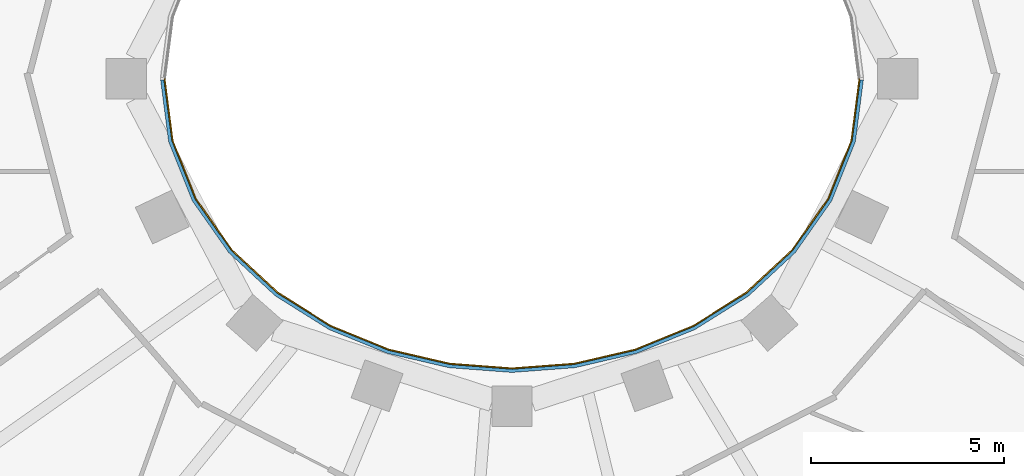
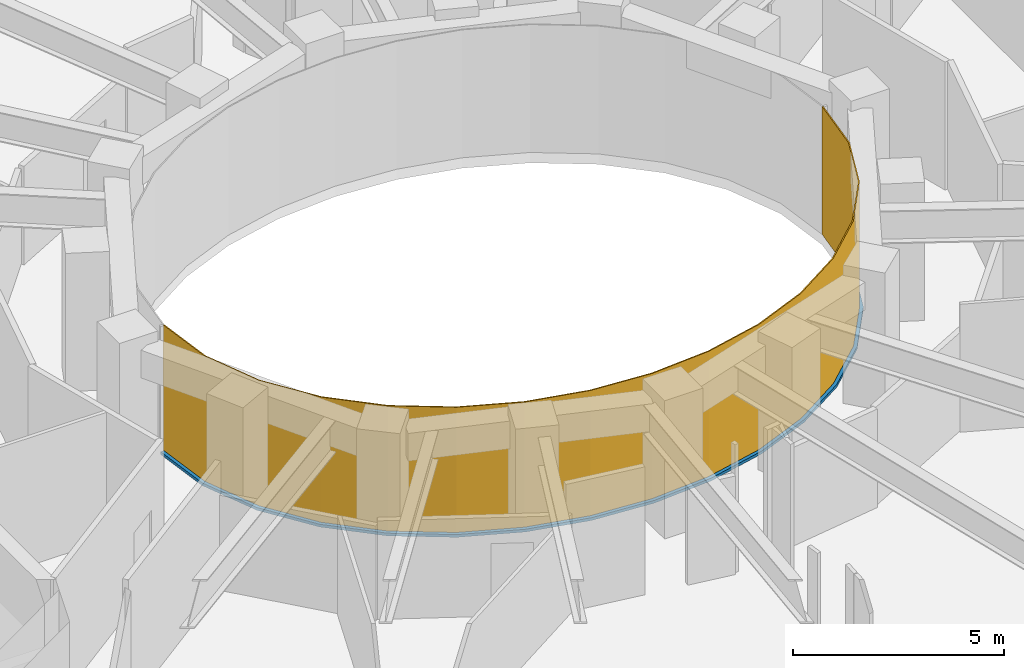
# One storey, part 11 of 17: 1 curtain wall, 1 member.
"""IFC4 building model written with IfcOpenShell, lengths in metres."""

from ifc_helpers import new_model, si_unit, direction, frame, origin, place, context, subcontext, project, spatial, polyline, outline, extrude, material, layer, layer_set, type_object, element, aggregate, save


model = new_model("IFC4")

# Units and contexts
model_context = context("Model", 3, precision=1e-05, world=origin(), true_north=direction((0.0, 1.0)))
body_context = subcontext(model_context, "Body", "Model", "MODEL_VIEW")
ifc_project = project(units=[si_unit("LENGTHUNIT", "METRE"), si_unit("AREAUNIT", "SQUARE_METRE"), si_unit("VOLUMEUNIT", "CUBIC_METRE"), si_unit("PLANEANGLEUNIT", "RADIAN"), si_unit("MASSUNIT", "GRAM", prefix="KILO")], contexts=[model_context])

# Member
ifc_material_1 = material(Name="Steel S355 fire-resisting frame", Category="steel")
member_type = type_object("IfcMemberType", Name="ENV-TRANSOM-W", PredefinedType="USERDEFINED", material=ifc_material_1)
site_placement = place(None, origin())
building_placement = place(site_placement, origin())
storey_placement = place(building_placement, frame((0.0, 0.0, 190.0)))
member_placement = place(storey_placement, origin())
member = element("IfcMember", 1, at=member_placement, type_object=member_type, Name="Transom W well 17-01", ObjectType="TRANSOM", PredefinedType="USERDEFINED", context=body_context, shape_type="SweptSolid", body=[
    extrude(outline(polyline([(-9.119384765625, -0.02783203125), (-8.910400390625, -1.63623046875), (-8.29833984375, -3.167236328125), (-7.35107421875, -4.5146484375), (-6.1455078125, -5.6337890625), (-4.75341796875, -6.50634765625), (-3.233642578125, -7.127685546875), (-1.635498046875, -7.498779296875), (0.0, -7.622314453125), (1.635498046875, -7.498779296875), (3.233642578125, -7.127685546875), (4.75341796875, -6.50634765625), (6.1455078125, -5.6337890625), (7.35107421875, -4.5146484375), (8.29833984375, -3.167236328125), (8.910400390625, -1.63623046875), (9.119384765625, -0.02783203125), (9.02880859375, -0.02783203125), (8.822509765625, -1.61328125), (8.21875, -3.124267578125), (7.282958984375, -4.455078125), (6.090576171875, -5.56201171875), (4.712158203125, -6.426025390625), (3.206298828125, -7.04150390625), (1.621826171875, -7.40966796875), (0.0, -7.531982421875), (-1.621826171875, -7.40966796875), (-3.206298828125, -7.04150390625), (-4.712158203125, -6.426025390625), (-6.090576171875, -5.56201171875), (-7.282958984375, -4.455078125), (-8.21875, -3.124267578125), (-8.822509765625, -1.61328125), (-9.02880859375, -0.02783203125), (-9.119384765625, -0.02783203125)])), origin(), (0.0, 0.0, 1.0), 0.080078125),
])

# Site, building, storey
site = spatial("IfcSite", under=ifc_project, at=site_placement, CompositionType="ELEMENT")
building = spatial("IfcBuilding", under=site, at=building_placement, Name="Noorbagh Ring Tower", CompositionType="ELEMENT")
storey = spatial("IfcBuildingStorey", under=building, at=storey_placement, Name="L44", CompositionType="ELEMENT", Elevation=190.0)

# Curtain wall
ifc_material_2 = material(Name="Glass fire-resisting E60 laminated", Category="glass")
ifc_layer = layer(ifc_material_2, 0.031982421875)
ifc_layer_set = layer_set([ifc_layer], Name="Glass fire-resisting E60 laminated")
curtain_wall_type = type_object("IfcCurtainWallType", Name="ENV-CW-W", PredefinedType="NOTDEFINED", material=ifc_layer_set)
curtain_wall_placement = place(storey_placement, origin())
curtain_wall = element("IfcCurtainWall", 2, at=curtain_wall_placement, inside=storey, type_object=curtain_wall_type, Name="Curtain wall W W17", PredefinedType="NOTDEFINED", context=body_context, shape_type="SweptSolid", body=[
    extrude(outline(polyline([(-9.0322265625, 0.0), (-8.822509765625, -1.61328125), (-8.21875, -3.124267578125), (-7.282958984375, -4.455078125), (-6.090576171875, -5.56201171875), (-4.712158203125, -6.426025390625), (-3.206298828125, -7.04150390625), (-1.621826171875, -7.40966796875), (0.0, -7.531982421875), (1.621826171875, -7.40966796875), (3.206298828125, -7.04150390625), (4.712158203125, -6.426025390625), (6.090576171875, -5.56201171875), (7.282958984375, -4.455078125), (8.21875, -3.124267578125), (8.822509765625, -1.61328125), (9.0322265625, 0.0), (9.0, 0.0), (8.79150390625, -1.605224609375), (8.1904296875, -3.10888671875), (7.2587890625, -4.43408203125), (6.071044921875, -5.53662109375), (4.697509765625, -6.3974609375), (3.196533203125, -7.010986328125), (1.6171875, -7.3779296875), (0.0, -7.5), (-1.6171875, -7.3779296875), (-3.196533203125, -7.010986328125), (-4.697509765625, -6.3974609375), (-6.071044921875, -5.53662109375), (-7.2587890625, -4.43408203125), (-8.1904296875, -3.10888671875), (-8.79150390625, -1.605224609375), (-9.0, 0.0), (-9.0322265625, 0.0)])), origin(), (0.0, 0.0, 1.0), 3.699951171875),
])

aggregate(curtain_wall, [member])

save(model, "model.ifc")
